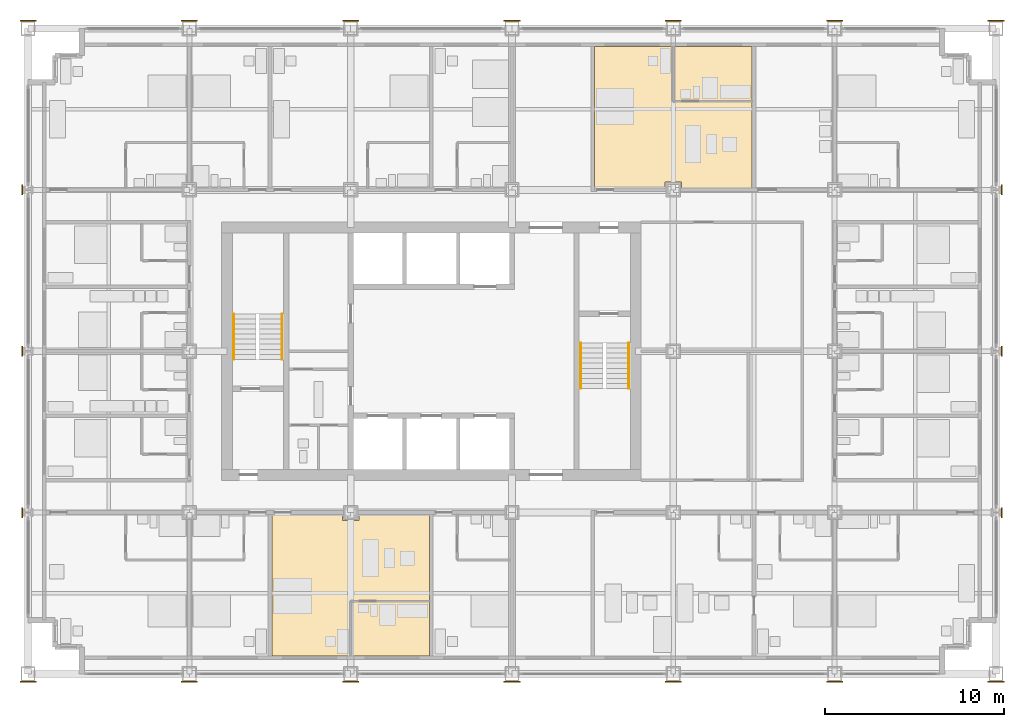
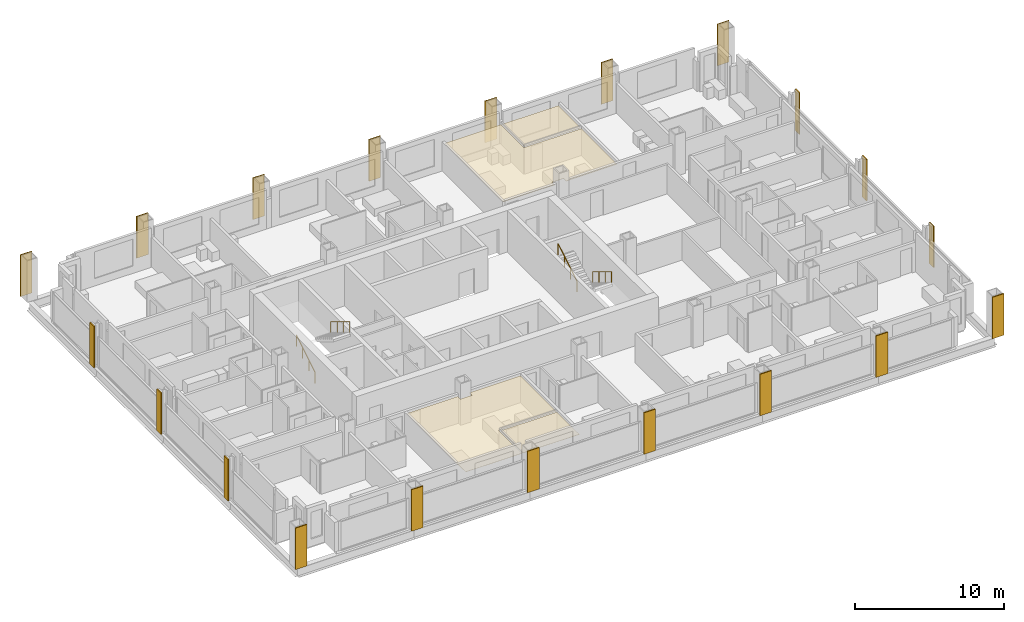
# One storey, part 16 of 18: 24 coverings, 4 railings.
"""IFC4 building model written with IfcOpenShell, lengths in metres."""

import ifcopenshell
import ifcopenshell.guid

model = None  # the IFC model being written
_history = None  # IfcOwnerHistory: only IFC2X3 demands one
_inside = {}  # id of a spatial element -> (the spatial element, [elements in it])
_under = {}  # id of a project, library or spatial element -> (it, [spatial elements below it])
_declared = {}  # id of a project -> (the project, [libraries it declares])
_typed = {}  # id of a type object -> (the type object, [elements of that type])
_made_of = {}  # id of a material, layer set ... -> (it, [elements and type objects made of it])


def new_model(schema):
    """Start an empty IFC model of exactly this schema.

    Asked for "IFC4X3", IfcOpenShell would pick the latest addendum, in which some entities
    have other attributes; the version numbers below select the first issue.
    IFC2X3 requires an IfcOwnerHistory on every rooted entity: one is made here for all.
    """
    global model, _history
    if schema == "IFC4X3":
        model = ifcopenshell.file(schema_version=(4, 3, 0, 0))
    else:
        model = ifcopenshell.file(schema=schema)
    _inside.clear()
    _under.clear()
    _declared.clear()
    _typed.clear()
    _made_of.clear()
    _history = None
    if model.schema == "IFC2X3":
        org = make("IfcOrganization", Name="unknown")
        user = make(
            "IfcPersonAndOrganization",
            ThePerson=make("IfcPerson", FamilyName="unknown"),
            TheOrganization=org,
        )
        app = make(
            "IfcApplication",
            ApplicationDeveloper=org,
            Version="unknown",
            ApplicationFullName="unknown",
            ApplicationIdentifier="unknown",
        )
        _history = make(
            "IfcOwnerHistory",
            OwningUser=user,
            OwningApplication=app,
            ChangeAction="ADDED",
            CreationDate=0,
        )
    return model


def make(cls, **values):
    """One entity of the class cls with the attributes given. An attribute that is None is left unset."""
    return model.create_entity(
        cls, **{name: value for name, value in values.items() if value is not None}
    )


def rooted(cls, **values):
    """An entity with a GlobalId (a new one), such as an element, a storey or a relation."""
    return make(cls, GlobalId=ifcopenshell.guid.new(), OwnerHistory=_history, **values)


def si_unit(unit_type, name, prefix=None):
    """IfcSIUnit, for example si_unit("LENGTHUNIT", "METRE", prefix="MILLI")."""
    return make("IfcSIUnit", UnitType=unit_type, Prefix=prefix, Name=name)


def assignment(units):
    """IfcUnitAssignment: the units of a project."""
    return None if units is None else make("IfcUnitAssignment", Units=units)


def point(xyz):
    """IfcCartesianPoint."""
    return None if xyz is None else make("IfcCartesianPoint", Coordinates=xyz)


def direction(xyz):
    """IfcDirection."""
    return None if xyz is None else make("IfcDirection", DirectionRatios=xyz)


def frame(location, z_axis=None, x_axis=None):
    """IfcAxis2Placement3D, a coordinate frame: its origin and axes. An axis left out is left unset."""
    return make(
        "IfcAxis2Placement3D",
        Location=point(location),
        Axis=direction(z_axis),
        RefDirection=direction(x_axis),
    )


def frame_2d(location, x_axis=None):
    """IfcAxis2Placement2D, a coordinate frame in the plane: its origin and x axis."""
    return make(
        "IfcAxis2Placement2D", Location=point(location), RefDirection=direction(x_axis)
    )


def origin():
    """The frame at (0, 0, 0) with its axes left unset."""
    return frame((0.0, 0.0, 0.0))


def origin_2d():
    """The frame at (0, 0) in the plane with its x axis left unset."""
    return frame_2d((0.0, 0.0))


def place(relative_to, where):
    """IfcLocalPlacement: puts the frame where relative to a parent placement (None: the world)."""
    return make(
        "IfcLocalPlacement", PlacementRelTo=relative_to, RelativePlacement=where
    )


def context(
    kind, dimensions, precision=None, world=None, true_north=None, identifier=None
):
    """IfcGeometricRepresentationContext, for example the 3D "Model" context."""
    return make(
        "IfcGeometricRepresentationContext",
        ContextIdentifier=identifier,
        ContextType=kind,
        CoordinateSpaceDimension=dimensions,
        Precision=precision,
        WorldCoordinateSystem=world,
        TrueNorth=true_north,
    )


def subcontext(parent, identifier, kind, view, scale=None):
    """IfcGeometricRepresentationSubContext, for example "Body" below "Model"."""
    return make(
        "IfcGeometricRepresentationSubContext",
        ContextIdentifier=identifier,
        ContextType=kind,
        ParentContext=parent,
        TargetScale=scale,
        TargetView=view,
    )


def project(units=None, contexts=None):
    """IfcProject with its units and contexts."""
    return rooted(
        "IfcProject",
        Name="project",
        RepresentationContexts=contexts,
        UnitsInContext=assignment(units),
    )


def spatial(cls, under=None, at=None, **own):
    """A site, building, storey or space (cls), placed at a placement, below another one or the project."""
    s = rooted(cls, ObjectPlacement=at, **own)
    if under is not None:
        _under.setdefault(under.id(), (under, []))[1].append(s)
    return s


def polyline(points):
    """IfcPolyline through the points."""
    return make("IfcPolyline", Points=[point(p) for p in points])


def profile(cls, at=None, kind="AREA", **sizes):
    """A parametric profile (cls). Its sizes go by their IFC names, for example OverallWidth=200.0."""
    return make(cls, ProfileType=kind, Position=at, **sizes)


def rectangle(**sizes):
    """IfcRectangleProfileDef."""
    return profile("IfcRectangleProfileDef", **sizes)


def circle(**sizes):
    """IfcCircleProfileDef."""
    return profile("IfcCircleProfileDef", **sizes)


def outline(outer, holes=None, kind="AREA"):
    """IfcArbitraryClosedProfileDef: a profile drawn as a closed curve; with holes, ...WithVoids."""
    if holes is None:
        return make("IfcArbitraryClosedProfileDef", ProfileType=kind, OuterCurve=outer)
    return make(
        "IfcArbitraryProfileDefWithVoids",
        ProfileType=kind,
        OuterCurve=outer,
        InnerCurves=holes,
    )


def extrude(swept, where, along, depth):
    """IfcExtrudedAreaSolid: the profile swept, set in the frame where, extruded along a direction by depth."""
    return make(
        "IfcExtrudedAreaSolid",
        SweptArea=swept,
        Position=where,
        ExtrudedDirection=direction(along),
        Depth=depth,
    )


def shape(context_of_items, identifier, shape_type, items):
    """IfcShapeRepresentation: the items that make up one representation, for example the "Body"."""
    return make(
        "IfcShapeRepresentation",
        ContextOfItems=context_of_items,
        RepresentationIdentifier=identifier,
        RepresentationType=shape_type,
        Items=items,
    )


def material(Name=None, Category=None):
    """IfcMaterial."""
    return make("IfcMaterial", Name=Name, Category=Category)


def layer(
    of_material, thickness, ventilated=None, Name=None, Category=None, Priority=None
):
    """IfcMaterialLayer: one layer of a wall or slab, of a material (None: an air gap)."""
    return make(
        "IfcMaterialLayer",
        Material=of_material,
        LayerThickness=thickness,
        IsVentilated=ventilated,
        Name=Name,
        Category=Category,
        Priority=Priority,
    )


def layer_set(layers, Name=None):
    """IfcMaterialLayerSet."""
    return make("IfcMaterialLayerSet", MaterialLayers=layers, LayerSetName=Name)


def made_of(thing, what):
    """Note that an element or type object is made of a material, layer set ...; save() writes the relation."""
    if what is not None:
        _made_of.setdefault(what.id(), (what, []))[1].append(thing)
    return thing


def type_object(cls, material=None, **own):
    """A type object (cls), such as IfcWallType, which elements share."""
    return made_of(rooted(cls, **own), material)


def element(
    cls,
    number,
    at=None,
    inside=None,
    cuts=None,
    type_object=None,
    material=None,
    context=None,
    identifier="Body",
    shape_type=None,
    held_by="IfcProductDefinitionShape",
    body=None,
    shapes=None,
    **own,
):
    """One element of the class cls, such as IfcWall. Its Tag is "e" and its number.

    at: its placement. inside: the storey or other place that contains it. cuts: it is an
    opening in that element (IfcRelVoidsElement). A single representation is given by context,
    identifier, shape_type and body (its items); several are given by shapes. held_by: the class
    of the entity that holds the representations. save() writes the other relations.
    """
    e = rooted(cls, Tag="e%d" % number, ObjectPlacement=at, **own)
    if body is not None:
        shapes = [shape(context, identifier, shape_type, body)]
    if shapes is not None:
        e.Representation = make(held_by, Representations=shapes)
    if inside is not None:
        _inside.setdefault(inside.id(), (inside, []))[1].append(e)
    if cuts is not None:
        rooted(
            "IfcRelVoidsElement", RelatingBuildingElement=cuts, RelatedOpeningElement=e
        )
    if type_object is not None:
        _typed.setdefault(type_object.id(), (type_object, []))[1].append(e)
    return made_of(e, material)


def aggregate(whole, parts):
    """IfcRelAggregates: a whole, such as a stair, and the parts it consists of."""
    return rooted("IfcRelAggregates", RelatingObject=whole, RelatedObjects=parts)


def save(model, path):
    """Write the relations noted so far, then the file.

    IfcRelAggregates (storeys below a building ...), IfcRelContainedInSpatialStructure (elements
    in a storey), IfcRelDefinesByType, IfcRelAssociatesMaterial and IfcRelDeclares: one each for
    every whole, place, type object, material and project.
    """
    for whole, parts in _under.values():
        aggregate(whole, parts)
    for where, things in _inside.values():
        rooted(
            "IfcRelContainedInSpatialStructure",
            RelatedElements=things,
            RelatingStructure=where,
        )
    for kind, things in _typed.values():
        rooted("IfcRelDefinesByType", RelatedObjects=things, RelatingType=kind)
    for what, things in _made_of.values():
        rooted("IfcRelAssociatesMaterial", RelatedObjects=things, RelatingMaterial=what)
    for by, libraries in _declared.values():
        rooted("IfcRelDeclares", RelatingContext=by, RelatedDefinitions=libraries)
    model.write(path)


model = new_model("IFC4")

# Units and contexts
model_context = context("Model", 3, precision=1e-05, world=origin(), true_north=direction((0.0, 1.0)))
body_context = subcontext(model_context, "Body", "Model", "MODEL_VIEW")
ifc_project = project(units=[si_unit("LENGTHUNIT", "METRE"), si_unit("AREAUNIT", "SQUARE_METRE"), si_unit("VOLUMEUNIT", "CUBIC_METRE"), si_unit("PLANEANGLEUNIT", "RADIAN"), si_unit("MASSUNIT", "GRAM", prefix="KILO")], contexts=[model_context])

# Site, building, storey
site_placement = place(None, origin())
site = spatial("IfcSite", under=ifc_project, at=site_placement, CompositionType="ELEMENT")
building_placement = place(site_placement, origin())
building = spatial("IfcBuilding", under=site, at=building_placement, Name="Loomwork Tower", CompositionType="ELEMENT")
storey_placement = place(building_placement, frame((0.0, 0.0, 58.60009765625)))
storey = spatial("IfcBuildingStorey", under=building, at=storey_placement, Name="L14", CompositionType="ELEMENT", Elevation=58.60009765625)

# Railings
ifc_material_1 = material(Name="Stainless steel handrail", Category="steel")
railing_type = type_object("IfcRailingType", Name="Handrail 900", PredefinedType="HANDRAIL", material=ifc_material_1)
railing_1_placement = place(storey_placement, frame((11.485107421875, 17.550048828125, 0.169921875)))
element("IfcRailing", 1, at=railing_1_placement, inside=storey, type_object=railing_type, Name="Stair A handrail flight 1 L14", PredefinedType="HANDRAIL", context=body_context, shape_type="SweptSolid", body=[
    extrude(circle(Radius=0.02392578125, at=origin_2d()), frame((0.0, 0.0, 0.8759765625), z_axis=(0.0, 0.85478489116, 0.518982456201), x_axis=(-1.0, 0.0, 0.0)), (0.0, 0.0, 1.0), 2.9482421875),
    extrude(circle(Radius=0.02099609375, at=origin_2d()), origin(), (0.0, 0.0, 1.0), 0.851806640625),
    extrude(circle(Radius=0.02099609375, at=origin_2d()), frame((0.0, 0.840087890625, 0.510009765625)), (0.0, 0.0, 1.0), 0.851806640625),
    extrude(circle(Radius=0.02099609375, at=origin_2d()), frame((0.0, 1.679931640625, 1.02001953125)), (0.0, 0.0, 1.0), 0.851806640625),
    extrude(circle(Radius=0.02099609375, at=origin_2d()), frame((0.0, 2.52001953125, 1.530029296875)), (0.0, 0.0, 1.0), 0.851806640625),
])
for number, where, name in (
    (2, (14.1650390625, 20.070068359375, 1.869873046875), "Stair A handrail flight 2 L14"),
    (3, (33.514892578125, 18.449951171875, 0.169921875), "Stair B handrail flight 1 L14"),
):
    element("IfcRailing", number, at=place(storey_placement, frame(where)), inside=storey, type_object=railing_type, Name=name, PredefinedType="HANDRAIL", context=body_context, shape_type="SweptSolid", body=[
        extrude(circle(Radius=0.02392578125, at=origin_2d()), frame((0.0, 0.0, 0.8759765625), z_axis=(0.0, -0.85478489116, 0.518982456201), x_axis=(1.0, 0.0, 0.0)), (0.0, 0.0, 1.0), 2.9482421875),
        extrude(circle(Radius=0.02099609375, at=origin_2d()), origin(), (0.0, 0.0, 1.0), 0.851806640625),
        extrude(circle(Radius=0.02099609375, at=origin_2d()), frame((0.0, -0.840087890625, 0.510009765625)), (0.0, 0.0, 1.0), 0.851806640625),
        extrude(circle(Radius=0.02099609375, at=origin_2d()), frame((0.0, -1.679931640625, 1.02001953125)), (0.0, 0.0, 1.0), 0.851806640625),
        extrude(circle(Radius=0.02099609375, at=origin_2d()), frame((0.0, -2.52001953125, 1.530029296875)), (0.0, 0.0, 1.0), 0.851806640625),
    ])
railing_2_placement = place(storey_placement, frame((30.8349609375, 15.929931640625, 1.869873046875)))
element("IfcRailing", 4, at=railing_2_placement, inside=storey, type_object=railing_type, Name="Stair B handrail flight 2 L14", PredefinedType="HANDRAIL", context=body_context, shape_type="SweptSolid", body=[
    extrude(circle(Radius=0.02392578125, at=origin_2d()), frame((0.0, 0.0, 0.8759765625), z_axis=(0.0, 0.85478489116, 0.518982456201), x_axis=(-1.0, 0.0, 0.0)), (0.0, 0.0, 1.0), 2.9482421875),
    extrude(circle(Radius=0.02099609375, at=origin_2d()), origin(), (0.0, 0.0, 1.0), 0.851806640625),
    extrude(circle(Radius=0.02099609375, at=origin_2d()), frame((0.0, 0.840087890625, 0.510009765625)), (0.0, 0.0, 1.0), 0.851806640625),
    extrude(circle(Radius=0.02099609375, at=origin_2d()), frame((0.0, 1.679931640625, 1.02001953125)), (0.0, 0.0, 1.0), 0.851806640625),
    extrude(circle(Radius=0.02099609375, at=origin_2d()), frame((0.0, 2.52001953125, 1.530029296875)), (0.0, 0.0, 1.0), 0.851806640625),
])

# Coverings
ifc_material_2 = material(Name="Limestone", Category="masonry")
ifc_layer_1 = layer(ifc_material_2, 0.080078125)
ifc_layer_set_1 = layer_set([ifc_layer_1], Name="Limestone pier facing 80")
covering_type_1 = type_object("IfcCoveringType", Name="Limestone pier facing 80", PredefinedType="CLADDING", material=ifc_layer_set_1)
covering_1_placement = place(storey_placement, frame((0.0, -0.43994140625, 0.0), z_axis=(0.0, 0.0, 1.0), x_axis=(1.0, 0.0, 0.0)))
element("IfcCovering", 5, at=covering_1_placement, inside=storey, type_object=covering_type_1, Name="Pier facing D/2 L14", PredefinedType="CLADDING", context=body_context, shape_type="SweptSolid", body=[
    extrude(rectangle(XDim=0.89990234375, YDim=0.080078125, at=origin_2d()), origin(), (0.0, 0.0, 1.0), 3.39990234375),
])
for number, where, z_axis, x_axis, name in (
    (6, (-0.324462890625, 9.0, 0.0), (0.0, 0.0, 1.0), (1.0, 0.0, 0.0), "Pier facing E/2 L14"),
    (7, (-0.324462890625, 18.0, 0.0), (0.0, 0.0, 1.0), (1.0, 0.0, 0.0), "Pier facing F/2 L14"),
    (8, (-0.324462890625, 27.0, 0.0), (0.0, 0.0, 1.0), (1.0, 0.0, 0.0), "Pier facing G/2 L14"),
):
    element("IfcCovering", number, at=place(storey_placement, frame(where, z_axis=z_axis, x_axis=x_axis)), inside=storey, type_object=covering_type_1, Name=name, PredefinedType="CLADDING", context=body_context, shape_type="SweptSolid", body=[
        extrude(rectangle(XDim=0.080078125, YDim=0.5546875, at=origin_2d()), origin(), (0.0, 0.0, 1.0), 3.39990234375),
    ])
for number, where, z_axis, x_axis, name in (
    (9, (0.0, 36.43994140625, 0.0), (0.0, 0.0, 1.0), (1.0, 0.0, 0.0), "Pier facing H/2 L14"),
    (10, (9.0, -0.43994140625, 0.0), (0.0, 0.0, 1.0), (1.0, 0.0, 0.0), "Pier facing D/3 L14"),
    (11, (9.0, 36.43994140625, 0.0), (0.0, 0.0, 1.0), (1.0, 0.0, 0.0), "Pier facing H/3 L14"),
    (12, (18.0, -0.43994140625, 0.0), (0.0, 0.0, 1.0), (1.0, 0.0, 0.0), "Pier facing D/4 L14"),
    (13, (18.0, 36.43994140625, 0.0), (0.0, 0.0, 1.0), (1.0, 0.0, 0.0), "Pier facing H/4 L14"),
    (14, (27.0, -0.43994140625, 0.0), (0.0, 0.0, 1.0), (1.0, 0.0, 0.0), "Pier facing D/5 L14"),
    (15, (27.0, 36.43994140625, 0.0), (0.0, 0.0, 1.0), (1.0, 0.0, 0.0), "Pier facing H/5 L14"),
    (16, (36.0, -0.43994140625, 0.0), (0.0, 0.0, 1.0), (1.0, 0.0, 0.0), "Pier facing D/6 L14"),
    (17, (36.0, 36.43994140625, 0.0), (0.0, 0.0, 1.0), (1.0, 0.0, 0.0), "Pier facing H/6 L14"),
    (18, (45.0, -0.43994140625, 0.0), (0.0, 0.0, 1.0), (1.0, 0.0, 0.0), "Pier facing D/7 L14"),
    (19, (45.0, 36.43994140625, 0.0), (0.0, 0.0, 1.0), (1.0, 0.0, 0.0), "Pier facing H/7 L14"),
    (20, (54.0, -0.43994140625, 0.0), (0.0, 0.0, 1.0), (1.0, 0.0, 0.0), "Pier facing D/8 L14"),
):
    element("IfcCovering", number, at=place(storey_placement, frame(where, z_axis=z_axis, x_axis=x_axis)), inside=storey, type_object=covering_type_1, Name=name, PredefinedType="CLADDING", context=body_context, shape_type="SweptSolid", body=[
        extrude(rectangle(XDim=0.89990234375, YDim=0.080078125, at=origin_2d()), origin(), (0.0, 0.0, 1.0), 3.39990234375),
    ])
for number, where, z_axis, x_axis, name in (
    (21, (54.324462890625, 9.0, 0.0), (0.0, 0.0, 1.0), (1.0, 0.0, 0.0), "Pier facing E/8 L14"),
    (22, (54.324462890625, 18.0, 0.0), (0.0, 0.0, 1.0), (1.0, 0.0, 0.0), "Pier facing F/8 L14"),
    (23, (54.324462890625, 27.0, 0.0), (0.0, 0.0, 1.0), (1.0, 0.0, 0.0), "Pier facing G/8 L14"),
):
    element("IfcCovering", number, at=place(storey_placement, frame(where, z_axis=z_axis, x_axis=x_axis)), inside=storey, type_object=covering_type_1, Name=name, PredefinedType="CLADDING", context=body_context, shape_type="SweptSolid", body=[
        extrude(rectangle(XDim=0.080078125, YDim=0.5546875, at=origin_2d()), origin(), (0.0, 0.0, 1.0), 3.39990234375),
    ])
covering_2_placement = place(storey_placement, frame((54.0, 36.43994140625, 0.0), z_axis=(0.0, 0.0, 1.0), x_axis=(1.0, 0.0, 0.0)))
element("IfcCovering", 24, at=covering_2_placement, inside=storey, type_object=covering_type_1, Name="Pier facing H/8 L14", PredefinedType="CLADDING", context=body_context, shape_type="SweptSolid", body=[
    extrude(rectangle(XDim=0.89990234375, YDim=0.080078125, at=origin_2d()), origin(), (0.0, 0.0, 1.0), 3.39990234375),
])
ifc_material_3 = material(Name="Mineral fibre acoustic tile on suspension grid")
ifc_layer_2 = layer(ifc_material_3, 0.02490234375)
ifc_layer_set_2 = layer_set([ifc_layer_2], Name="Suspended acoustic ceiling")
covering_type_2 = type_object("IfcCoveringType", Name="Suspended acoustic ceiling", PredefinedType="CEILING", material=ifc_layer_set_2)
covering_3_placement = place(storey_placement, frame((0.0, 0.0, 2.1748046875)))
element("IfcCovering", 25, at=covering_3_placement, inside=storey, type_object=covering_type_2, Name="Ceiling Spa bathroom L14", PredefinedType="CEILING", context=body_context, shape_type="SweptSolid", body=[
    extrude(outline(polyline([(22.39990234375, 4.0), (22.39990234375, 1.0), (18.050048828125, 1.0), (18.050048828125, 4.0), (22.39990234375, 4.0)])), origin(), (0.0, 0.0, 1.0), 0.025146484375),
])
covering_4_placement = place(storey_placement, frame((0.0, 0.0, 2.1748046875)))
element("IfcCovering", 26, at=covering_4_placement, inside=storey, type_object=covering_type_2, Name="Ceiling Spa suite L14", PredefinedType="CEILING", context=body_context, shape_type="SweptSolid", body=[
    extrude(outline(polyline([(17.550048828125, 8.89990234375), (17.550048828125, 8.550048828125), (18.449951171875, 8.550048828125), (18.449951171875, 8.89990234375), (22.39990234375, 8.89990234375), (22.39990234375, 4.10009765625), (17.949951171875, 4.10009765625), (17.949951171875, 1.0), (13.60009765625, 1.0), (13.60009765625, 8.89990234375), (17.550048828125, 8.89990234375)])), origin(), (0.0, 0.0, 1.0), 0.025146484375),
])
covering_5_placement = place(storey_placement, frame((0.0, 0.0, 2.1748046875)))
element("IfcCovering", 27, at=covering_5_placement, inside=storey, type_object=covering_type_2, Name="Ceiling Spa bathroom L14", PredefinedType="CEILING", context=body_context, shape_type="SweptSolid", body=[
    extrude(outline(polyline([(36.050048828125, 35.0), (40.39990234375, 35.0), (40.39990234375, 32.0), (36.050048828125, 32.0), (36.050048828125, 35.0)])), origin(), (0.0, 0.0, 1.0), 0.025146484375),
])
covering_6_placement = place(storey_placement, frame((0.0, 0.0, 2.1748046875)))
element("IfcCovering", 28, at=covering_6_placement, inside=storey, type_object=covering_type_2, Name="Ceiling Spa suite L14", PredefinedType="CEILING", context=body_context, shape_type="SweptSolid", body=[
    extrude(outline(polyline([(31.60009765625, 35.0), (35.949951171875, 35.0), (35.949951171875, 31.89990234375), (40.39990234375, 31.89990234375), (40.39990234375, 27.10009765625), (36.449951171875, 27.10009765625), (36.449951171875, 27.449951171875), (35.550048828125, 27.449951171875), (35.550048828125, 27.10009765625), (31.60009765625, 27.10009765625), (31.60009765625, 35.0)])), origin(), (0.0, 0.0, 1.0), 0.025146484375),
])

save(model, "model.ifc")
